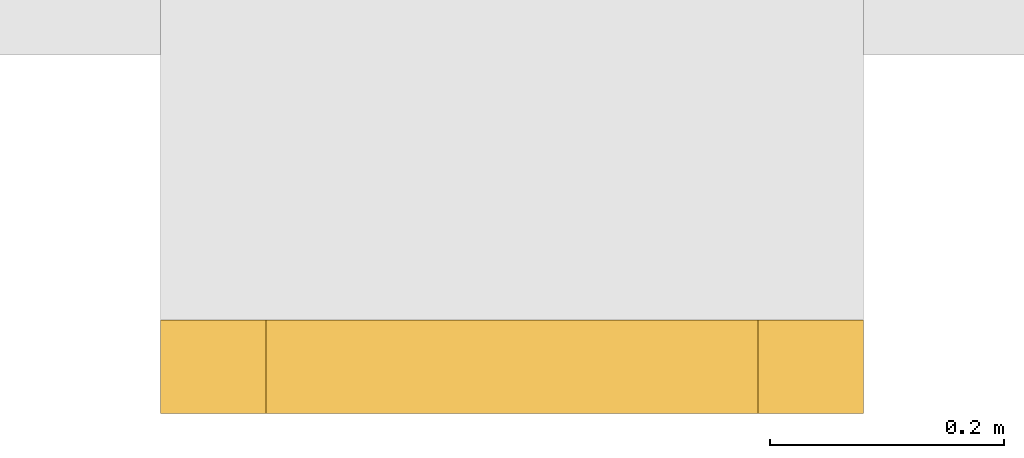
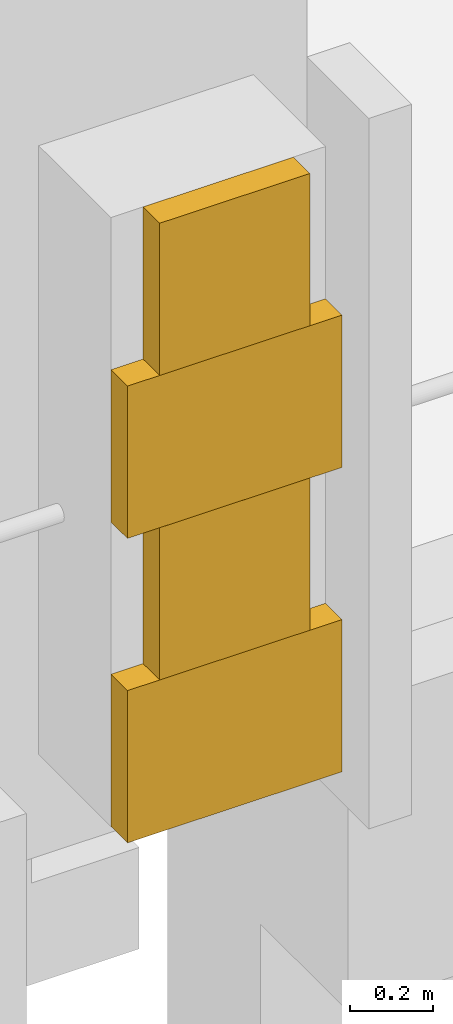
# One storey, part 54 of 57: 4 coverings.
"""IFC4 building model written with IfcOpenShell, lengths in metres."""

from ifc_helpers import new_model, si_unit, direction, frame, origin, place, context, subcontext, project, spatial, polyline, outline, extrude, material, layer, layer_set, type_object, element, save


model = new_model("IFC4")

# Units and contexts
model_context = context("Model", 3, precision=1e-05, world=origin(), true_north=direction((0.0, 1.0)))
body_context = subcontext(model_context, "Body", "Model", "MODEL_VIEW")
ifc_project = project(units=[si_unit("LENGTHUNIT", "METRE"), si_unit("AREAUNIT", "SQUARE_METRE"), si_unit("VOLUMEUNIT", "CUBIC_METRE"), si_unit("PLANEANGLEUNIT", "RADIAN"), si_unit("MASSUNIT", "GRAM", prefix="KILO")], contexts=[model_context])

# Site, building, storey
site_placement = place(None, origin())
site = spatial("IfcSite", under=ifc_project, at=site_placement, CompositionType="ELEMENT")
building_placement = place(site_placement, origin())
building = spatial("IfcBuilding", under=site, at=building_placement, Name="Cour d'Honneur Mobility Palace", CompositionType="ELEMENT")
storey_placement = place(building_placement, frame((0.0, 0.0, 8.199951171875)))
storey = spatial("IfcBuildingStorey", under=building, at=storey_placement, Name="L02", CompositionType="ELEMENT", Elevation=8.199951171875)

# Coverings
ifc_material = material(Name="Cast limestone", Category="masonry")
ifc_layer = layer(ifc_material, 0.080078125)
ifc_layer_set = layer_set([ifc_layer], Name="Cast limestone")
covering_type = type_object("IfcCoveringType", Name="Quoin block", PredefinedType="CLADDING", material=ifc_layer_set)
covering_1_placement = place(storey_placement, frame((0.0, 0.0, 0.300048828125)))
element("IfcCovering", 1, at=covering_1_placement, inside=storey, type_object=covering_type, Name="Quoin block QN-13", PredefinedType="CLADDING", context=body_context, shape_type="SweptSolid", body=[
    extrude(outline(polyline([(153.300048828125, -0.800048828125), (153.89990234375, -0.800048828125), (153.89990234375, -0.8798828125), (153.300048828125, -0.8798828125), (153.300048828125, -0.800048828125)])), origin(), (0.0, 0.0, 1.0), 0.449951171875),
])
covering_2_placement = place(storey_placement, frame((0.0, 0.0, 0.75)))
element("IfcCovering", 2, at=covering_2_placement, inside=storey, type_object=covering_type, Name="Quoin block QN-14", PredefinedType="CLADDING", context=body_context, shape_type="SweptSolid", body=[
    extrude(outline(polyline([(153.389892578125, -0.800048828125), (153.81005859375, -0.800048828125), (153.81005859375, -0.8798828125), (153.389892578125, -0.8798828125), (153.389892578125, -0.800048828125)])), origin(), (0.0, 0.0, 1.0), 0.449951171875),
])
covering_3_placement = place(storey_placement, frame((0.0, 0.0, 1.199951171875)))
element("IfcCovering", 3, at=covering_3_placement, inside=storey, type_object=covering_type, Name="Quoin block QN-15", PredefinedType="CLADDING", context=body_context, shape_type="SweptSolid", body=[
    extrude(outline(polyline([(153.300048828125, -0.800048828125), (153.89990234375, -0.800048828125), (153.89990234375, -0.8798828125), (153.300048828125, -0.8798828125), (153.300048828125, -0.800048828125)])), origin(), (0.0, 0.0, 1.0), 0.4501953125),
])
covering_4_placement = place(storey_placement, frame((0.0, 0.0, 1.650146484375)))
element("IfcCovering", 4, at=covering_4_placement, inside=storey, type_object=covering_type, Name="Quoin block QN-16", PredefinedType="CLADDING", context=body_context, shape_type="SweptSolid", body=[
    extrude(outline(polyline([(153.389892578125, -0.800048828125), (153.81005859375, -0.800048828125), (153.81005859375, -0.8798828125), (153.389892578125, -0.8798828125), (153.389892578125, -0.800048828125)])), origin(), (0.0, 0.0, 1.0), 0.449951171875),
])

save(model, "model.ifc")
